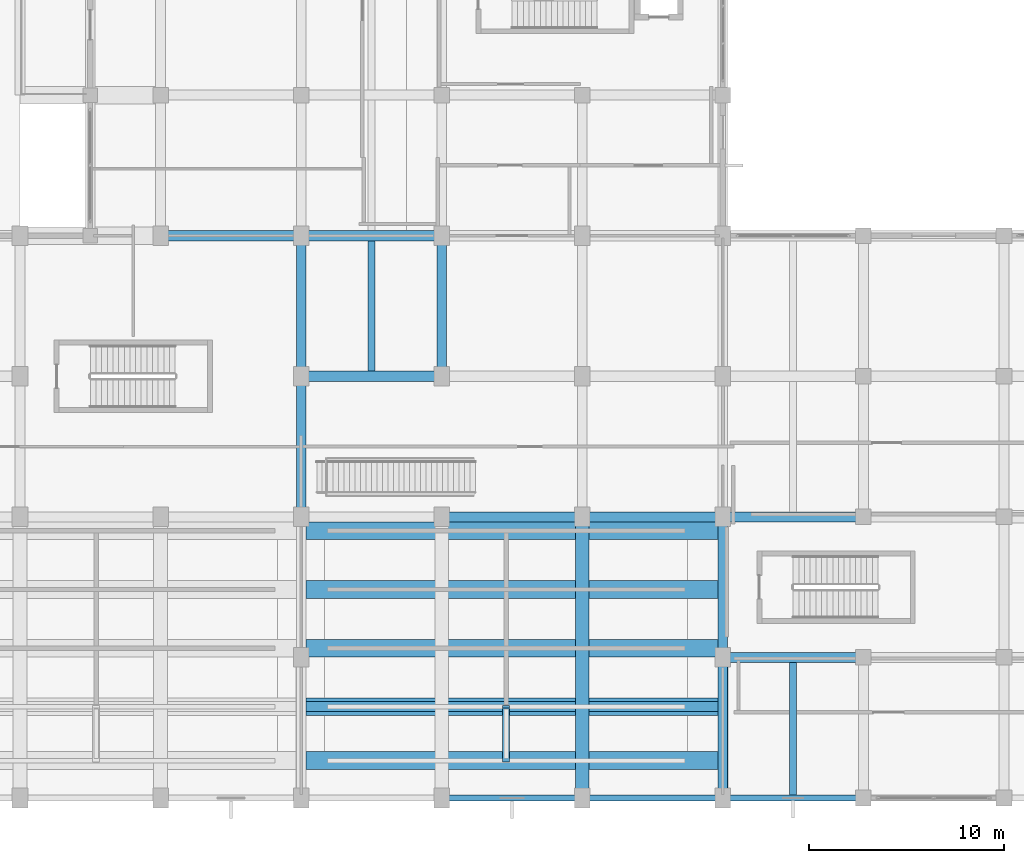
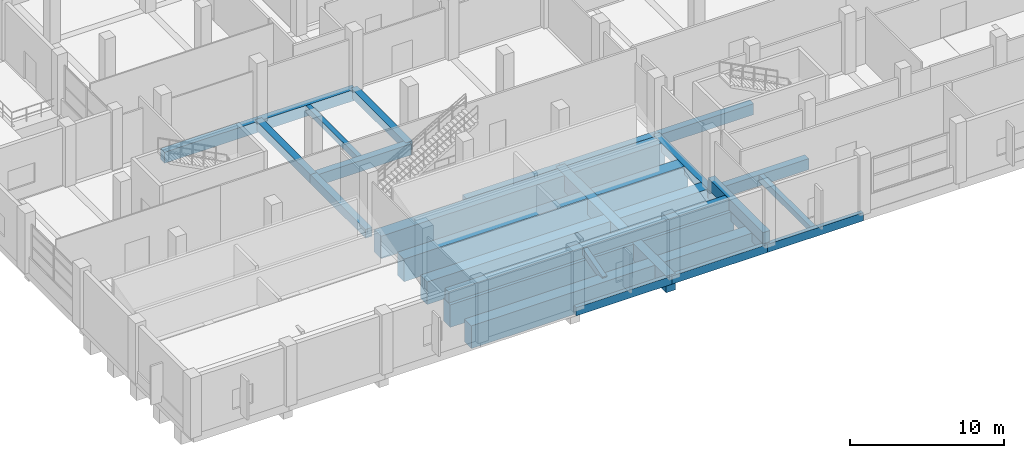
# One storey, part 9 of 140: 26 beams.
"""IFC4 building model written with IfcOpenShell, lengths in metres."""

from ifc_helpers import new_model, si_unit, direction, frame, origin, origin_2d, place, context, subcontext, project, spatial, rectangle, extrude, material, material_profile, profile_set, type_object, element, save


model = new_model("IFC4")

# Units and contexts
model_context = context("Model", 3, precision=1e-05, world=origin(), true_north=direction((0.0, 1.0)))
body_context = subcontext(model_context, "Body", "Model", "MODEL_VIEW")
ifc_project = project(units=[si_unit("LENGTHUNIT", "METRE"), si_unit("AREAUNIT", "SQUARE_METRE"), si_unit("VOLUMEUNIT", "CUBIC_METRE"), si_unit("PLANEANGLEUNIT", "RADIAN"), si_unit("MASSUNIT", "GRAM", prefix="KILO")], contexts=[model_context])

# Site, building, storey
site_placement = place(None, origin())
site = spatial("IfcSite", under=ifc_project, at=site_placement, CompositionType="ELEMENT")
building_placement = place(site_placement, origin())
building = spatial("IfcBuilding", under=site, at=building_placement, Name="Seraya Terrace Polytechnic", CompositionType="ELEMENT")
storey_placement = place(building_placement, frame((0.0, 0.0, 9.60009765625)))
storey = spatial("IfcBuildingStorey", under=building, at=storey_placement, Name="L02", CompositionType="ELEMENT", Elevation=9.60009765625)

# Beams
ifc_material = material(Name="Concrete C40/50", Category="concrete")
ifc_material_profile_1 = material_profile(ifc_material, rectangle(XDim=0.699951171875, YDim=1.300048828125, at=origin_2d()), Name="RC 700x1300")
ifc_profile_set_1 = profile_set([ifc_material_profile_1], Name="Concrete C40/50")
beam_type_1 = type_object("IfcBeamType", Name="BG-01", PredefinedType="USERDEFINED", material=ifc_profile_set_1)
beam_1_placement = place(storey_placement, frame((36.0, 0.0, -0.650146484375), z_axis=(0.0, 1.0, 0.0), x_axis=(-1.0, 0.0, 0.0)))
element("IfcBeam", 1, at=beam_1_placement, inside=storey, type_object=beam_type_1, Name="Beam BG-01 L02 Y (36.0, 0.0..14.4)", ObjectType="GIRDER", PredefinedType="USERDEFINED", context=body_context, shape_type="SweptSolid", body=[
    extrude(rectangle(XDim=0.699951171875, YDim=1.300048828125, at=origin_2d()), origin(), (0.0, 0.0, 1.0), 14.39990234375),
])
ifc_material_profile_2 = material_profile(ifc_material, rectangle(XDim=0.52001953125, YDim=0.8798828125, at=origin_2d()), Name="RC 520x880")
ifc_profile_set_2 = profile_set([ifc_material_profile_2], Name="Concrete C40/50")
beam_type_2 = type_object("IfcBeamType", Name="BM-04", PredefinedType="BEAM", material=ifc_profile_set_2)
for number, where, z_axis, x_axis, name in (
    (2, (43.199951171875, 7.199951171875, -0.440185546875), (1.0, 0.0, 0.0), (0.0, 1.0, 0.0), "Beam BM-04 L02 X (43.2..50.4, 7.2)"),
    (3, (28.800048828125, 14.39990234375, -0.440185546875), (1.0, 0.0, 0.0), (0.0, 1.0, 0.0), "Beam BM-04 L02 X (28.8..36.0, 14.4)"),
    (4, (36.0, 14.39990234375, -0.440185546875), (1.0, 0.0, 0.0), (0.0, 1.0, 0.0), "Beam BM-04 L02 X (36.0..43.2, 14.4)"),
    (5, (43.199951171875, 14.39990234375, -0.440185546875), (1.0, 0.0, 0.0), (0.0, 1.0, 0.0), "Beam BM-04 L02 X (43.2..50.4, 14.4)"),
    (6, (21.60009765625, 21.60009765625, -0.440185546875), (1.0, 0.0, 0.0), (0.0, 1.0, 0.0), "Beam BM-04 L02 X (21.6..28.8, 21.6)"),
):
    element("IfcBeam", number, at=place(storey_placement, frame(where, z_axis=z_axis, x_axis=x_axis)), inside=storey, type_object=beam_type_2, Name=name, PredefinedType="BEAM", context=body_context, shape_type="SweptSolid", body=[
        extrude(rectangle(XDim=0.52001953125, YDim=0.8798828125, at=origin_2d()), origin(), (0.0, 0.0, 1.0), 7.199951171875),
    ])
beam_2_placement = place(storey_placement, frame((14.39990234375, 28.800048828125, -0.440185546875), z_axis=(1.0, 0.0, 0.0), x_axis=(0.0, 1.0, 0.0)))
element("IfcBeam", 7, at=beam_2_placement, inside=storey, type_object=beam_type_2, Name="Beam BM-04 L02 X (14.4..21.6, 28.8)", PredefinedType="BEAM", context=body_context, shape_type="SweptSolid", body=[
    extrude(rectangle(XDim=0.52001953125, YDim=0.8798828125, at=origin_2d()), origin(), (0.0, 0.0, 1.0), 7.2001953125),
])
for number, where, z_axis, x_axis, name in (
    (8, (21.60009765625, 28.800048828125, -0.440185546875), (1.0, 0.0, 0.0), (0.0, 1.0, 0.0), "Beam BM-04 L02 X (21.6..28.8, 28.8)"),
    (9, (43.199951171875, 0.0, 0.47998046875), (0.0, 1.0, 0.0), (-1.0, 0.0, 0.0), "Lecture tier cheek beam E2"),
):
    element("IfcBeam", number, at=place(storey_placement, frame(where, z_axis=z_axis, x_axis=x_axis)), inside=storey, type_object=beam_type_2, Name=name, PredefinedType="BEAM", context=body_context, shape_type="SweptSolid", body=[
        extrude(rectangle(XDim=0.52001953125, YDim=0.8798828125, at=origin_2d()), origin(), (0.0, 0.0, 1.0), 7.199951171875),
    ])
beam_3_placement = place(storey_placement, frame((21.860107421875, 4.679931640625, 0.469970703125), z_axis=(1.0, 0.0, 0.0), x_axis=(0.0, 1.0, 0.0)))
element("IfcBeam", 10, at=beam_3_placement, inside=storey, type_object=beam_type_2, Name="Lecture tier bank-1 rear beam S2", PredefinedType="BEAM", context=body_context, shape_type="SweptSolid", body=[
    extrude(rectangle(XDim=0.52001953125, YDim=0.8798828125, at=origin_2d()), origin(), (0.0, 0.0, 1.0), 21.079833984375),
])
ifc_material_profile_3 = material_profile(ifc_material, rectangle(XDim=0.5, YDim=0.699951171875, at=origin_2d()), Name="RC 500x700")
ifc_profile_set_3 = profile_set([ifc_material_profile_3], Name="Concrete C40/50")
beam_type_3 = type_object("IfcBeamType", Name="BM-07", PredefinedType="BEAM", material=ifc_profile_set_3)
beam_4_placement = place(storey_placement, frame((21.60009765625, 14.39990234375, -0.35009765625), z_axis=(0.0, 1.0, 0.0), x_axis=(-1.0, 0.0, 0.0)))
element("IfcBeam", 11, at=beam_4_placement, inside=storey, type_object=beam_type_3, Name="Beam BM-07 L02 Y (21.6, 14.4..21.6)", PredefinedType="BEAM", context=body_context, shape_type="SweptSolid", body=[
    extrude(rectangle(XDim=0.5, YDim=0.699951171875, at=origin_2d()), origin(), (0.0, 0.0, 1.0), 7.2001953125),
])
for number, where, z_axis, x_axis, name in (
    (12, (21.60009765625, 21.60009765625, -0.35009765625), (0.0, 1.0, 0.0), (-1.0, 0.0, 0.0), "Beam BM-07 L02 Y (21.6, 21.6..28.8)"),
    (13, (28.800048828125, 21.60009765625, -0.35009765625), (0.0, 1.0, 0.0), (-1.0, 0.0, 0.0), "Beam BM-07 L02 Y (28.8, 21.6..28.8)"),
    (14, (43.199951171875, 0.0, -0.35009765625), (0.0, 1.0, 0.0), (-1.0, 0.0, 0.0), "Beam BM-07 L02 Y (43.2, 0.0..7.2)"),
    (15, (43.199951171875, 7.199951171875, -0.35009765625), (0.0, 1.0, 0.0), (-1.0, 0.0, 0.0), "Beam BM-07 L02 Y (43.2, 7.2..14.4)"),
):
    element("IfcBeam", number, at=place(storey_placement, frame(where, z_axis=z_axis, x_axis=x_axis)), inside=storey, type_object=beam_type_3, Name=name, PredefinedType="BEAM", context=body_context, shape_type="SweptSolid", body=[
        extrude(rectangle(XDim=0.5, YDim=0.699951171875, at=origin_2d()), origin(), (0.0, 0.0, 1.0), 7.199951171875),
    ])
ifc_material_profile_4 = material_profile(ifc_material, rectangle(XDim=0.35009765625, YDim=0.5, at=origin_2d()), Name="RC 350x500")
ifc_profile_set_4 = profile_set([ifc_material_profile_4], Name="Concrete C40/50")
beam_type_4 = type_object("IfcBeamType", Name="JS-03", PredefinedType="JOIST", material=ifc_profile_set_4)
beam_5_placement = place(storey_placement, frame((25.199951171875, 21.860107421875, -0.25), z_axis=(0.0, 1.0, 0.0), x_axis=(-1.0, 0.0, 0.0)))
element("IfcBeam", 16, at=beam_5_placement, inside=storey, type_object=beam_type_4, Name="Secondary joist JS-03 L02", PredefinedType="JOIST", context=body_context, shape_type="SweptSolid", body=[
    extrude(rectangle(XDim=0.35009765625, YDim=0.5, at=origin_2d()), origin(), (0.0, 0.0, 1.0), 6.679931640625),
])
beam_6_placement = place(storey_placement, frame((46.800048828125, 0.14990234375, -0.25), z_axis=(0.0, 1.0, 0.0), x_axis=(-1.0, 0.0, 0.0)))
element("IfcBeam", 17, at=beam_6_placement, inside=storey, type_object=beam_type_4, Name="Secondary joist JS-03 L02", PredefinedType="JOIST", context=body_context, shape_type="SweptSolid", body=[
    extrude(rectangle(XDim=0.35009765625, YDim=0.5, at=origin_2d()), origin(), (0.0, 0.0, 1.0), 6.7900390625),
])
beam_7_placement = place(storey_placement, frame((32.10009765625, 1.919921875, -0.1201171875), z_axis=(0.0, 0.962306981649, 0.271965573319), x_axis=(-1.0, 0.0, 0.0)))
element("IfcBeam", 18, at=beam_7_placement, inside=storey, type_object=beam_type_4, Name="Lecture tier bank-1 mid raker S2", PredefinedType="JOIST", context=body_context, shape_type="SweptSolid", body=[
    extrude(rectangle(XDim=0.35009765625, YDim=0.5, at=origin_2d()), origin(), (0.0, 0.0, 1.0), 2.8681640625),
])
ifc_material_profile_5 = material_profile(ifc_material, rectangle(XDim=0.300048828125, YDim=0.64990234375, at=origin_2d()), Name="RC 300x650")
ifc_profile_set_5 = profile_set([ifc_material_profile_5], Name="Concrete C40/50")
beam_type_5 = type_object("IfcBeamType", Name="SP-01", PredefinedType="SPANDREL", material=ifc_profile_set_5)
for number, where, z_axis, x_axis, name in (
    (19, (28.800048828125, 0.0, -0.3251953125), (1.0, 0.0, 0.0), (0.0, 1.0, 0.0), "Beam SP-01 L02 X (28.8..36.0, 0.0)"),
    (20, (36.0, 0.0, -0.3251953125), (1.0, 0.0, 0.0), (0.0, 1.0, 0.0), "Beam SP-01 L02 X (36.0..43.2, 0.0)"),
    (21, (43.199951171875, 0.0, -0.3251953125), (1.0, 0.0, 0.0), (0.0, 1.0, 0.0), "Beam SP-01 L02 X (43.2..50.4, 0.0)"),
):
    element("IfcBeam", number, at=place(storey_placement, frame(where, z_axis=z_axis, x_axis=x_axis)), inside=storey, type_object=beam_type_5, Name=name, PredefinedType="SPANDREL", context=body_context, shape_type="SweptSolid", body=[
        extrude(rectangle(XDim=0.300048828125, YDim=0.64990234375, at=origin_2d()), origin(), (0.0, 0.0, 1.0), 7.199951171875),
    ])
ifc_material_profile_6 = material_profile(ifc_material, rectangle(XDim=0.89990234375, YDim=1.800048828125, at=origin_2d()), Name="RC 900x1800")
ifc_profile_set_6 = profile_set([ifc_material_profile_6], Name="Concrete C40/50")
beam_type_6 = type_object("IfcBeamType", Name="TG-01", PredefinedType="USERDEFINED", material=ifc_profile_set_6)
for number, where, z_axis, x_axis, name in (
    (22, (21.85009765625, 1.919921875, -0.900146484375), (1.0, 0.0, 0.0), (0.0, 1.0, 0.0), "Lecture tier support girder TG-01 L02 Y=1.92 #2"),
    (23, (21.85009765625, 4.679931640625, -0.900146484375), (1.0, 0.0, 0.0), (0.0, 1.0, 0.0), "Lecture tier support girder TG-01 L02 Y=4.68 #2"),
    (24, (21.85009765625, 7.679931640625, -0.900146484375), (1.0, 0.0, 0.0), (0.0, 1.0, 0.0), "Lecture tier support girder TG-01 L02 Y=7.68 #2"),
    (25, (21.85009765625, 10.679931640625, -0.900146484375), (1.0, 0.0, 0.0), (0.0, 1.0, 0.0), "Lecture tier support girder TG-01 L02 Y=10.68 #2"),
    (26, (21.85009765625, 13.679931640625, -0.900146484375), (1.0, 0.0, 0.0), (0.0, 1.0, 0.0), "Lecture tier support girder TG-01 L02 Y=13.68 #2"),
):
    element("IfcBeam", number, at=place(storey_placement, frame(where, z_axis=z_axis, x_axis=x_axis)), inside=storey, type_object=beam_type_6, Name=name, ObjectType="GIRDER", PredefinedType="USERDEFINED", context=body_context, shape_type="SweptSolid", body=[
        extrude(rectangle(XDim=0.89990234375, YDim=1.800048828125, at=origin_2d()), origin(), (0.0, 0.0, 1.0), 21.349853515625),
    ])

save(model, "model.ifc")
